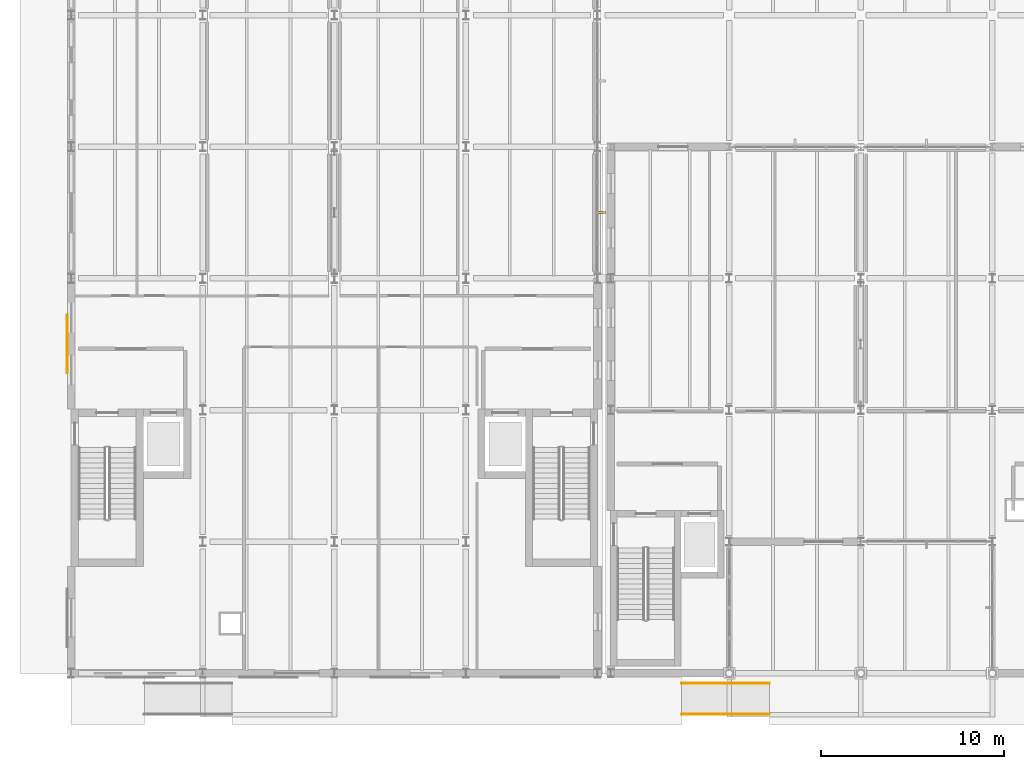
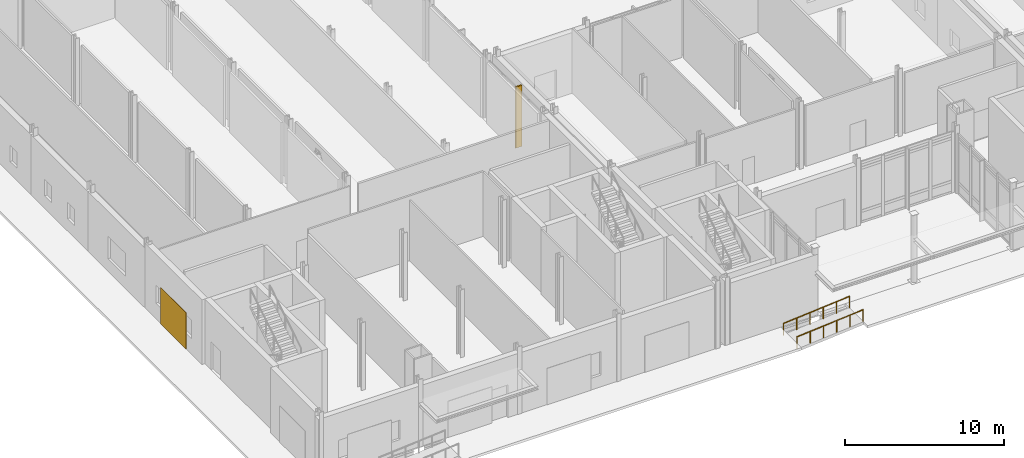
# One storey, part 75 of 89: 2 railings, 1 covering, 1 shading device.
"""IFC4 building model written with IfcOpenShell, lengths in metres."""

from ifc_helpers import new_model, si_unit, direction, frame, origin, origin_2d, place, context, subcontext, project, spatial, rectangle, circle, extrude, material, layer, layer_set, type_object, element, save


model = new_model("IFC4")

# Units and contexts
model_context = context("Model", 3, precision=1e-05, world=origin(), true_north=direction((0.0, 1.0)))
body_context = subcontext(model_context, "Body", "Model", "MODEL_VIEW")
ifc_project = project(units=[si_unit("LENGTHUNIT", "METRE"), si_unit("AREAUNIT", "SQUARE_METRE"), si_unit("VOLUMEUNIT", "CUBIC_METRE"), si_unit("PLANEANGLEUNIT", "RADIAN"), si_unit("MASSUNIT", "GRAM", prefix="KILO")], contexts=[model_context])

# Site, building, storey
site_placement = place(None, origin())
site = spatial("IfcSite", under=ifc_project, at=site_placement, CompositionType="ELEMENT")
building_placement = place(site_placement, origin())
building = spatial("IfcBuilding", under=site, at=building_placement, Name="Zarrinpeak Specialist Clinic", CompositionType="ELEMENT")
storey_placement = place(building_placement, origin())
storey = spatial("IfcBuildingStorey", under=building, at=storey_placement, Name="L00", CompositionType="ELEMENT", Elevation=0.0)

# Covering
ifc_material_1 = material(Name="Glulam GL28h", Category="wood")
ifc_layer_1 = layer(ifc_material_1, 0.034912109375)
ifc_layer_set_1 = layer_set([ifc_layer_1], Name="Glulam GL28h")
covering_type = type_object("IfcCoveringType", Name="CV-CLD-GL", PredefinedType="CLADDING", material=ifc_layer_set_1)
covering_placement = place(storey_placement, frame((-0.215576171875, 18.02490234375, -0.01025390625), z_axis=(0.0, 0.0, 1.0), x_axis=(1.0, 0.0, 0.0)))
element("IfcCovering", 1, at=covering_placement, inside=storey, type_object=covering_type, Name="L00 V1 Courtyard Cedar-Glulam Cladding Panel CV-CLD-08", PredefinedType="CLADDING", context=body_context, shape_type="SweptSolid", body=[
    extrude(rectangle(XDim=0.034912109375, YDim=3.199951171875, at=origin_2d()), origin(), (0.0, 0.0, 1.0), 2.800048828125),
])

# Railings
ifc_material_2 = material(Name="Brushed Stainless Steel 316 Handrail", Category="steel")
ifc_layer_2 = layer(ifc_material_2, 0.050048828125)
ifc_layer_set_2 = layer_set([ifc_layer_2], Name="Brushed Stainless Steel 316 Handrail")
railing_type = type_object("IfcRailingType", Name="RL-HND92", PredefinedType="HANDRAIL", material=ifc_layer_set_2)
for number, where, name in (
    (2, (33.39990234375, -0.550048828125, -0.39990234375), "Accessible Ramp Handrail R-ACC2-L"),
    (3, (33.39990234375, -2.25, -0.39990234375), "Accessible Ramp Handrail R-ACC2-R"),
):
    element("IfcRailing", number, at=place(storey_placement, frame(where)), inside=storey, type_object=railing_type, Name=name, PredefinedType="HANDRAIL", context=body_context, shape_type="SweptSolid", body=[
        extrude(circle(Radius=0.02392578125, at=origin_2d()), frame((0.0, 0.0, 0.89599609375), z_axis=(0.996547505835, 0.0, 0.083024506106), x_axis=(0.0, 1.0, 0.0)), (0.0, 0.0, 1.0), 4.816650390625),
        extrude(circle(Radius=0.02099609375, at=origin_2d()), origin(), (0.0, 0.0, 1.0), 0.871826171875),
        extrude(circle(Radius=0.02099609375, at=origin_2d()), frame((0.9599609375, 0.0, 0.080078125)), (0.0, 0.0, 1.0), 0.871826171875),
        extrude(circle(Radius=0.02099609375, at=origin_2d()), frame((1.919921875, 0.0, 0.159912109375)), (0.0, 0.0, 1.0), 0.871826171875),
        extrude(circle(Radius=0.02099609375, at=origin_2d()), frame((2.880126953125, 0.0, 0.239990234375)), (0.0, 0.0, 1.0), 0.871826171875),
        extrude(circle(Radius=0.02099609375, at=origin_2d()), frame((3.840087890625, 0.0, 0.31982421875)), (0.0, 0.0, 1.0), 0.871826171875),
        extrude(circle(Radius=0.02099609375, at=origin_2d()), frame((4.800048828125, 0.0, 0.39990234375)), (0.0, 0.0, 1.0), 0.871826171875),
    ])

# Shading device
shading_device_type = type_object("IfcShadingDeviceType", Name="SHD-FIN-GL", PredefinedType="USERDEFINED", material=ifc_material_1)
shading_device_placement = place(storey_placement, frame((29.0, 25.199951171875, -0.01513671875), z_axis=(0.0, 0.0, 1.0), x_axis=(1.0, 0.0, 0.0)))
element("IfcShadingDevice", 4, at=shading_device_placement, inside=storey, type_object=shading_device_type, Name="L00 V1 Cedar-Glulam Courtyard Fin FIN-001", ObjectType="SUNSHADE", PredefinedType="USERDEFINED", context=body_context, shape_type="SweptSolid", body=[
    extrude(rectangle(XDim=0.449951171875, YDim=0.110107421875, at=origin_2d()), origin(), (0.0, 0.0, 1.0), 4.695068359375),
])

save(model, "model.ifc")
